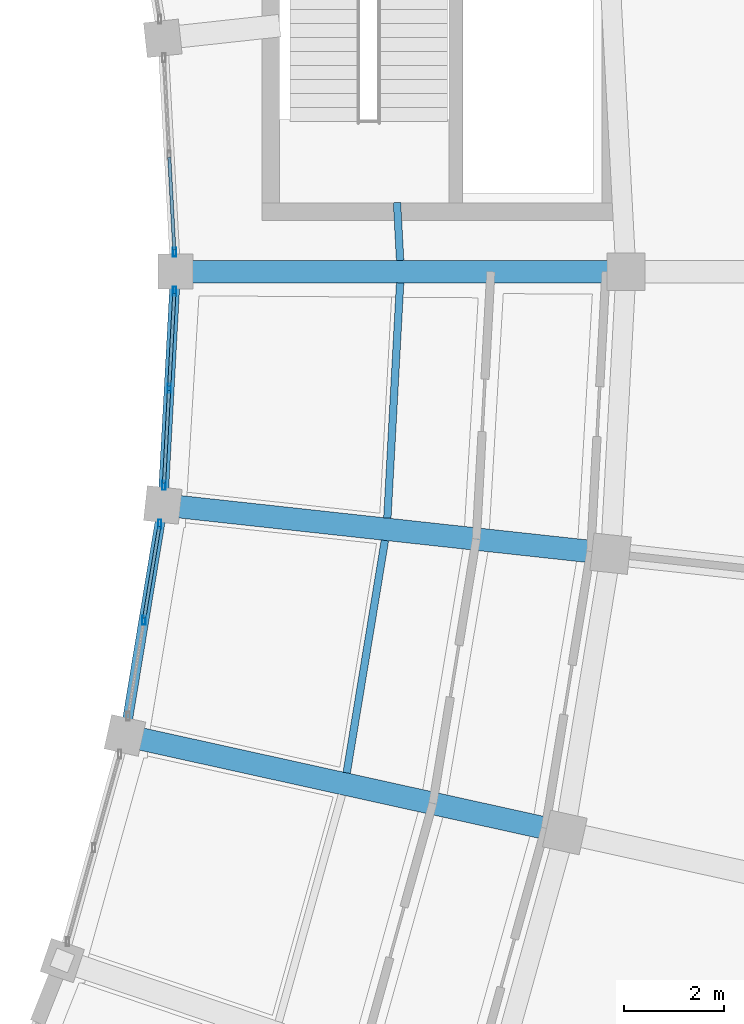
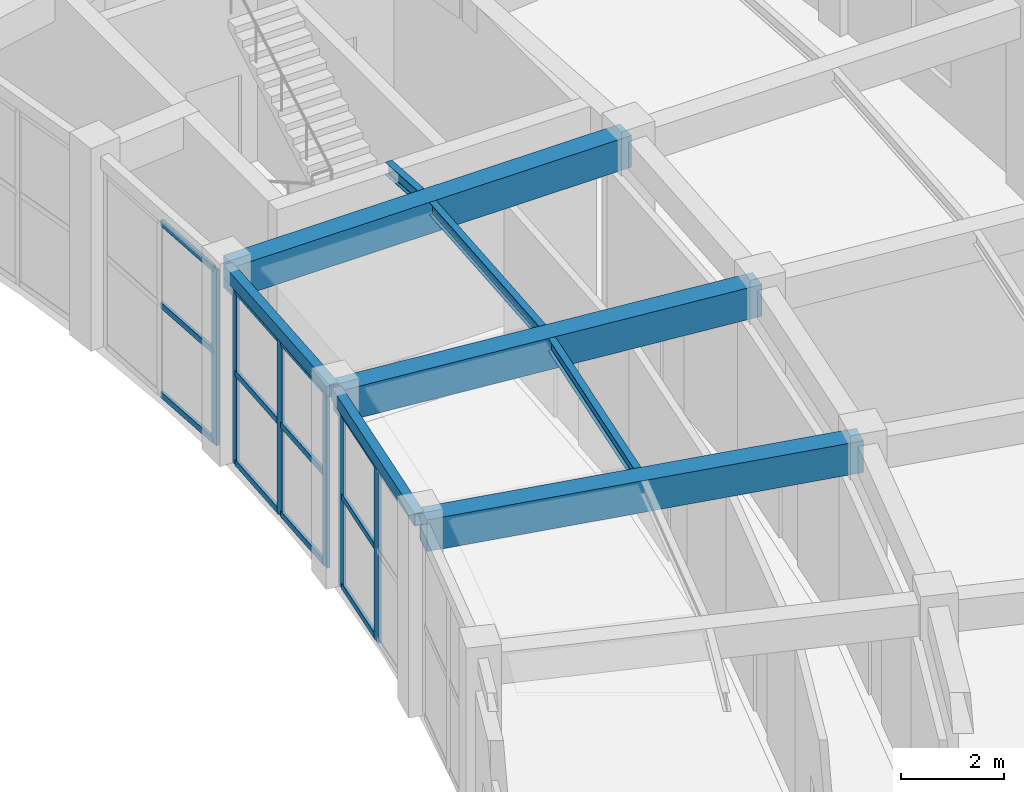
# One storey, part 67 of 108: 18 members, 8 beams, 3 elements without a shape of their own.
"""IFC4 building model written with IfcOpenShell, lengths in metres."""

from ifc_helpers import new_model, si_unit, direction, frame, origin, origin_2d, place, context, subcontext, project, spatial, rectangle, hollow_rectangle, i_section, extrude, material, material_profile, profile_set, type_object, element, aggregate, save


model = new_model("IFC4")

# Units and contexts
model_context = context("Model", 3, precision=1e-05, world=origin(), true_north=direction((0.0, 1.0)))
body_context = subcontext(model_context, "Body", "Model", "MODEL_VIEW")
ifc_project = project(units=[si_unit("LENGTHUNIT", "METRE"), si_unit("AREAUNIT", "SQUARE_METRE"), si_unit("VOLUMEUNIT", "CUBIC_METRE"), si_unit("PLANEANGLEUNIT", "RADIAN"), si_unit("MASSUNIT", "GRAM", prefix="KILO")], contexts=[model_context])

# Site, building, storey
site_placement = place(None, origin())
site = spatial("IfcSite", under=ifc_project, at=site_placement, CompositionType="ELEMENT")
building_placement = place(site_placement, origin())
building = spatial("IfcBuilding", under=site, at=building_placement, Name="Tarnveldt Headland Concert Hall", CompositionType="ELEMENT")
storey_placement = place(building_placement, origin())
storey = spatial("IfcBuildingStorey", under=building, at=storey_placement, Name="L00", CompositionType="ELEMENT", Elevation=0.0)

# Beams
ifc_material_1 = material(Name="Concrete C40/50", Category="concrete")
ifc_material_profile_1 = material_profile(ifc_material_1, rectangle(XDim=0.449951171875, YDim=0.75, at=origin_2d()), Name="RC 450x750", Category="concrete")
ifc_profile_set_1 = profile_set([ifc_material_profile_1], Name="Concrete C40/50")
beam_type_1 = type_object("IfcBeamType", Name="CB-450x750", PredefinedType="BEAM", material=ifc_profile_set_1)
beam_1_placement = place(storey_placement, frame((159.54833984375, 50.720947265625, 4.14501953125), z_axis=(0.976505569656, -0.215492163268, 0.0), x_axis=(0.215492163268, 0.976505569656, 0.0)))
element("IfcBeam", 1, at=beam_1_placement, inside=storey, type_object=beam_type_1, Name="Framing beam L00-473", PredefinedType="BEAM", context=body_context, shape_type="SweptSolid", body=[
    extrude(rectangle(XDim=0.449951171875, YDim=0.75, at=origin_2d()), origin(), (0.0, 0.0, 1.0), 8.880126953125),
])
for number, where, z_axis, x_axis, name in (
    (2, (160.306396484375, 55.3330078125, 4.14501953125), (0.994109611255, -0.108379337562, 0.0), (0.108379337562, 0.994109611255, 0.0), "Framing beam L00-480"),
    (3, (160.56005859375, 60.0, 4.14501953125), (1.0, 0.0, 0.0), (0.0, 1.0, 0.0), "Framing beam L00-487"),
):
    element("IfcBeam", number, at=place(storey_placement, frame(where, z_axis=z_axis, x_axis=x_axis)), inside=storey, type_object=beam_type_1, Name=name, PredefinedType="BEAM", context=body_context, shape_type="SweptSolid", body=[
        extrude(rectangle(XDim=0.449951171875, YDim=0.75, at=origin_2d()), origin(), (0.0, 0.0, 1.0), 8.8798828125),
    ])

# Curtain wall, members
ifc_material_2 = material(Name="Marine-anodised aluminium EN AW-6063-T6", Category="aluminium")
curtain_wall_type = type_object("IfcCurtainWallType", Name="CW-C1", PredefinedType="NOTDEFINED", material=ifc_material_2)
curtain_wall_1_placement = place(storey_placement, origin())
curtain_wall_1 = element("IfcCurtainWall", 4, at=curtain_wall_1_placement, inside=storey, type_object=curtain_wall_type, Name="Curtain wall CW-L00-100", PredefinedType="NOTDEFINED")
ifc_material_profile_2 = material_profile(ifc_material_2, hollow_rectangle(XDim=0.06494140625, YDim=0.179931640625, WallThickness=0.00390625, at=origin_2d()), Name="ALU MULLION 65x180x4", Category="aluminium")
ifc_profile_set_2 = profile_set([ifc_material_profile_2], Name="Marine-anodised aluminium EN AW-6063-T6")
member_type_1 = type_object("IfcMemberType", Name="ML-180", PredefinedType="MULLION", material=ifc_profile_set_2)
member_1_placement = place(storey_placement, frame((159.8681640625, 53.03662109375, 0.0), z_axis=(0.0, 0.0, 1.0), x_axis=(1.0, 0.0, 0.0)))
member_1 = element("IfcMember", 5, at=member_1_placement, type_object=member_type_1, Name="Mullion CW-L00-100-2", PredefinedType="MULLION", context=body_context, shape_type="SweptSolid", body=[
    extrude(hollow_rectangle(XDim=0.06494140625, YDim=0.179931640625, WallThickness=0.00390625, at=origin_2d()), origin(), (0.0, 0.0, 1.0), 4.159912109375),
])
member_2_placement = place(storey_placement, frame((160.183349609375, 54.95458984375, 0.0), z_axis=(0.0, 0.0, 1.0), x_axis=(1.0, 0.0, 0.0)))
member_2 = element("IfcMember", 6, at=member_2_placement, type_object=member_type_1, Name="Mullion CW-L00-100-3", PredefinedType="MULLION", context=body_context, shape_type="SweptSolid", body=[
    extrude(hollow_rectangle(XDim=0.06494140625, YDim=0.179931640625, WallThickness=0.00390625, at=origin_2d()), origin(), (0.0, 0.0, 1.0), 4.159912109375),
])

curtain_wall_2_placement = place(storey_placement, origin())
curtain_wall_2 = element("IfcCurtainWall", 7, at=curtain_wall_2_placement, inside=storey, type_object=curtain_wall_type, Name="Curtain wall CW-L00-101", PredefinedType="NOTDEFINED")
member_3_placement = place(storey_placement, frame((160.267822265625, 55.728759765625, 0.0), z_axis=(0.0, 0.0, 1.0), x_axis=(1.0, 0.0, 0.0)))
member_3 = element("IfcMember", 8, at=member_3_placement, type_object=member_type_1, Name="Mullion CW-L00-101-1", PredefinedType="MULLION", context=body_context, shape_type="SweptSolid", body=[
    extrude(hollow_rectangle(XDim=0.06494140625, YDim=0.179931640625, WallThickness=0.00390625, at=origin_2d()), origin(), (0.0, 0.0, 1.0), 4.159912109375),
])
member_4_placement = place(storey_placement, frame((160.373291015625, 57.669677734375, 0.0), z_axis=(0.0, 0.0, 1.0), x_axis=(1.0, 0.0, 0.0)))
member_4 = element("IfcMember", 9, at=member_4_placement, type_object=member_type_1, Name="Mullion CW-L00-101-2", PredefinedType="MULLION", context=body_context, shape_type="SweptSolid", body=[
    extrude(hollow_rectangle(XDim=0.06494140625, YDim=0.179931640625, WallThickness=0.00390625, at=origin_2d()), origin(), (0.0, 0.0, 1.0), 4.159912109375),
])
member_5_placement = place(storey_placement, frame((160.478759765625, 59.610595703125, 0.0), z_axis=(0.0, 0.0, 1.0), x_axis=(1.0, 0.0, 0.0)))
member_5 = element("IfcMember", 10, at=member_5_placement, type_object=member_type_1, Name="Mullion CW-L00-101-3", PredefinedType="MULLION", context=body_context, shape_type="SweptSolid", body=[
    extrude(hollow_rectangle(XDim=0.06494140625, YDim=0.179931640625, WallThickness=0.00390625, at=origin_2d()), origin(), (0.0, 0.0, 1.0), 4.159912109375),
])

# Curtain wall, member
curtain_wall_3_placement = place(storey_placement, origin())
curtain_wall_3 = element("IfcCurtainWall", 11, at=curtain_wall_3_placement, inside=storey, type_object=curtain_wall_type, Name="Curtain wall CW-L00-102", PredefinedType="NOTDEFINED")
member_6_placement = place(storey_placement, frame((160.478759765625, 60.389404296875, 0.0), z_axis=(0.0, 0.0, 1.0), x_axis=(1.0, 0.0, 0.0)))
member_6 = element("IfcMember", 12, at=member_6_placement, type_object=member_type_1, Name="Mullion CW-L00-102-1", PredefinedType="MULLION", context=body_context, shape_type="SweptSolid", body=[
    extrude(hollow_rectangle(XDim=0.06494140625, YDim=0.179931640625, WallThickness=0.00390625, at=origin_2d()), origin(), (0.0, 0.0, 1.0), 4.159912109375),
])

# Beams
ifc_material_3 = material(Name="Steel S355", Category="steel")
ifc_material_profile_3 = material_profile(ifc_material_3, i_section(OverallWidth=0.14990234375, OverallDepth=0.300048828125, WebThickness=0.007080078125, FlangeThickness=0.0107421875, FilletRadius=0.014892578125, at=origin_2d()), Name="IPE300", Category="steel")
ifc_profile_set_3 = profile_set([ifc_material_profile_3], Name="Steel S355")
beam_type_2 = type_object("IfcBeamType", Name="SB-IPE300", PredefinedType="JOIST", material=ifc_profile_set_3)
for number, where, z_axis, x_axis, name in (
    (13, (163.92041015625, 49.986083984375, 4.3701171875), (0.162177536694, 0.986761595621, 0.0), (-0.986761595621, 0.162177536694, 0.0), "Framing beam L00-478"),
    (14, (164.732421875, 55.076416015625, 4.3701171875), (0.054266053499, 0.998526512136, 0.0), (-0.998526512136, 0.054266053499, 0.0), "Framing beam L00-485"),
):
    element("IfcBeam", number, at=place(storey_placement, frame(where, z_axis=z_axis, x_axis=x_axis)), inside=storey, type_object=beam_type_2, Name=name, PredefinedType="JOIST", context=body_context, shape_type="SweptSolid", body=[
        extrude(i_section(OverallWidth=0.14990234375, OverallDepth=0.300048828125, WebThickness=0.007080078125, FlangeThickness=0.0107421875, FilletRadius=0.014892578125, at=origin_2d()), origin(), (0.0, 0.0, 1.0), 4.705810546875),
    ])
beam_2_placement = place(storey_placement, frame((164.98779296875, 60.224609375, 4.3701171875), z_axis=(-0.054231149822, 0.998528408404, 0.0), x_axis=(-0.998528408404, -0.054231149822, 0.0)))
element("IfcBeam", 15, at=beam_2_placement, inside=storey, type_object=beam_type_2, Name="Framing beam L00-492", PredefinedType="JOIST", context=body_context, shape_type="SweptSolid", body=[
    extrude(i_section(OverallWidth=0.14990234375, OverallDepth=0.300048828125, WebThickness=0.007080078125, FlangeThickness=0.0107421875, FilletRadius=0.014892578125, at=origin_2d()), origin(), (0.0, 0.0, 1.0), 1.156982421875),
])
ifc_material_profile_4 = material_profile(ifc_material_3, hollow_rectangle(XDim=0.199951171875, YDim=0.300048828125, WallThickness=0.012451171875, at=origin_2d()), Name="RHS 300x200x12.5", Category="steel")
ifc_profile_set_4 = profile_set([ifc_material_profile_4], Name="Steel S355")
beam_type_3 = type_object("IfcBeamType", Name="SB-RHS300", PredefinedType="SPANDREL", material=ifc_profile_set_4)
beam_3_placement = place(storey_placement, frame((159.49951171875, 50.79296875, 4.3701171875), z_axis=(0.162187266023, 0.986759996524, 0.0), x_axis=(-0.986759996524, 0.162187266023, 0.0)))
element("IfcBeam", 16, at=beam_3_placement, inside=storey, type_object=beam_type_3, Name="Framing beam L00-475", PredefinedType="SPANDREL", context=body_context, shape_type="SweptSolid", body=[
    extrude(hollow_rectangle(XDim=0.199951171875, YDim=0.300048828125, WallThickness=0.012451171875, at=origin_2d()), origin(), (0.0, 0.0, 1.0), 4.547607421875),
])
beam_4_placement = place(storey_placement, frame((160.25, 55.3994140625, 4.3701171875), z_axis=(0.05422410232, 0.998528791136, 0.0), x_axis=(-0.998528791136, 0.05422410232, 0.0)))
element("IfcBeam", 17, at=beam_4_placement, inside=storey, type_object=beam_type_3, Name="Framing beam L00-482", PredefinedType="SPANDREL", context=body_context, shape_type="SweptSolid", body=[
    extrude(hollow_rectangle(XDim=0.199951171875, YDim=0.300048828125, WallThickness=0.012451171875, at=origin_2d()), origin(), (0.0, 0.0, 1.0), 4.54736328125),
])

# Member
ifc_material_profile_5 = material_profile(ifc_material_2, hollow_rectangle(XDim=0.06494140625, YDim=0.139892578125, WallThickness=0.00390625, at=origin_2d()), Name="ALU TRANSOM 65x140x4", Category="aluminium")
ifc_profile_set_5 = profile_set([ifc_material_profile_5], Name="Marine-anodised aluminium EN AW-6063-T6")
member_type_2 = type_object("IfcMemberType", Name="TR-140", PredefinedType="MEMBER", material=ifc_profile_set_5)
member_7_placement = place(storey_placement, frame((159.87548828125, 53.08056640625, 0.050048828125), z_axis=(0.162178507112, 0.986761436129, 0.0), x_axis=(-0.986761436129, 0.162178507112, 0.0)))
member_7 = element("IfcMember", 18, at=member_7_placement, type_object=member_type_2, Name="Transom CW-L00-100-2-1", PredefinedType="MEMBER", context=body_context, shape_type="SweptSolid", body=[
    extrude(hollow_rectangle(XDim=0.06494140625, YDim=0.139892578125, WallThickness=0.00390625, at=origin_2d()), origin(), (0.0, 0.0, 1.0), 1.854736328125),
])

member_8_placement = place(storey_placement, frame((159.87548828125, 53.08056640625, 2.1630859375), z_axis=(0.162178507112, 0.986761436129, 0.0), x_axis=(-0.986761436129, 0.162178507112, 0.0)))
member_8 = element("IfcMember", 19, at=member_8_placement, type_object=member_type_2, Name="Transom CW-L00-100-2-2", PredefinedType="MEMBER", context=body_context, shape_type="SweptSolid", body=[
    extrude(hollow_rectangle(XDim=0.06494140625, YDim=0.139892578125, WallThickness=0.00390625, at=origin_2d()), origin(), (0.0, 0.0, 1.0), 1.854736328125),
])

member_9_placement = place(storey_placement, frame((159.87548828125, 53.08056640625, 4.110107421875), z_axis=(0.162178507112, 0.986761436129, 0.0), x_axis=(-0.986761436129, 0.162178507112, 0.0)))
member_9 = element("IfcMember", 20, at=member_9_placement, type_object=member_type_2, Name="Transom CW-L00-100-2-3", PredefinedType="MEMBER", context=body_context, shape_type="SweptSolid", body=[
    extrude(hollow_rectangle(XDim=0.06494140625, YDim=0.139892578125, WallThickness=0.00390625, at=origin_2d()), origin(), (0.0, 0.0, 1.0), 1.854736328125),
])

aggregate(curtain_wall_1, [member_1, member_2, member_7, member_8, member_9])

member_10_placement = place(storey_placement, frame((160.270263671875, 55.773193359375, 0.050048828125), z_axis=(0.054230650598, 0.998528435517, 0.0), x_axis=(-0.998528435517, 0.054230650598, 0.0)))
member_10 = element("IfcMember", 21, at=member_10_placement, type_object=member_type_2, Name="Transom CW-L00-101-1-1", PredefinedType="MEMBER", context=body_context, shape_type="SweptSolid", body=[
    extrude(hollow_rectangle(XDim=0.06494140625, YDim=0.139892578125, WallThickness=0.00390625, at=origin_2d()), origin(), (0.0, 0.0, 1.0), 1.854736328125),
])

member_11_placement = place(storey_placement, frame((160.270263671875, 55.773193359375, 2.1630859375), z_axis=(0.054230650598, 0.998528435517, 0.0), x_axis=(-0.998528435517, 0.054230650598, 0.0)))
member_11 = element("IfcMember", 22, at=member_11_placement, type_object=member_type_2, Name="Transom CW-L00-101-1-2", PredefinedType="MEMBER", context=body_context, shape_type="SweptSolid", body=[
    extrude(hollow_rectangle(XDim=0.06494140625, YDim=0.139892578125, WallThickness=0.00390625, at=origin_2d()), origin(), (0.0, 0.0, 1.0), 1.854736328125),
])

member_12_placement = place(storey_placement, frame((160.270263671875, 55.773193359375, 4.110107421875), z_axis=(0.054230650598, 0.998528435517, 0.0), x_axis=(-0.998528435517, 0.054230650598, 0.0)))
member_12 = element("IfcMember", 23, at=member_12_placement, type_object=member_type_2, Name="Transom CW-L00-101-1-3", PredefinedType="MEMBER", context=body_context, shape_type="SweptSolid", body=[
    extrude(hollow_rectangle(XDim=0.06494140625, YDim=0.139892578125, WallThickness=0.00390625, at=origin_2d()), origin(), (0.0, 0.0, 1.0), 1.854736328125),
])

member_13_placement = place(storey_placement, frame((160.375732421875, 57.714111328125, 0.050048828125), z_axis=(0.054230650598, 0.998528435517, 0.0), x_axis=(-0.998528435517, 0.054230650598, 0.0)))
member_13 = element("IfcMember", 24, at=member_13_placement, type_object=member_type_2, Name="Transom CW-L00-101-2-1", PredefinedType="MEMBER", context=body_context, shape_type="SweptSolid", body=[
    extrude(hollow_rectangle(XDim=0.06494140625, YDim=0.139892578125, WallThickness=0.00390625, at=origin_2d()), origin(), (0.0, 0.0, 1.0), 1.854736328125),
])

member_14_placement = place(storey_placement, frame((160.375732421875, 57.714111328125, 2.1630859375), z_axis=(0.054230650598, 0.998528435517, 0.0), x_axis=(-0.998528435517, 0.054230650598, 0.0)))
member_14 = element("IfcMember", 25, at=member_14_placement, type_object=member_type_2, Name="Transom CW-L00-101-2-2", PredefinedType="MEMBER", context=body_context, shape_type="SweptSolid", body=[
    extrude(hollow_rectangle(XDim=0.06494140625, YDim=0.139892578125, WallThickness=0.00390625, at=origin_2d()), origin(), (0.0, 0.0, 1.0), 1.854736328125),
])

member_15_placement = place(storey_placement, frame((160.375732421875, 57.714111328125, 4.110107421875), z_axis=(0.054230650598, 0.998528435517, 0.0), x_axis=(-0.998528435517, 0.054230650598, 0.0)))
member_15 = element("IfcMember", 26, at=member_15_placement, type_object=member_type_2, Name="Transom CW-L00-101-2-3", PredefinedType="MEMBER", context=body_context, shape_type="SweptSolid", body=[
    extrude(hollow_rectangle(XDim=0.06494140625, YDim=0.139892578125, WallThickness=0.00390625, at=origin_2d()), origin(), (0.0, 0.0, 1.0), 1.854736328125),
])

aggregate(curtain_wall_2, [member_3, member_4, member_5, member_10, member_11, member_12, member_13, member_14, member_15])

member_16_placement = place(storey_placement, frame((160.476318359375, 60.433837890625, 0.050048828125), z_axis=(-0.054230650598, 0.998528435517, 0.0), x_axis=(-0.998528435517, -0.054230650598, 0.0)))
member_16 = element("IfcMember", 27, at=member_16_placement, type_object=member_type_2, Name="Transom CW-L00-102-1-1", PredefinedType="MEMBER", context=body_context, shape_type="SweptSolid", body=[
    extrude(hollow_rectangle(XDim=0.06494140625, YDim=0.139892578125, WallThickness=0.00390625, at=origin_2d()), origin(), (0.0, 0.0, 1.0), 1.854736328125),
])

member_17_placement = place(storey_placement, frame((160.476318359375, 60.433837890625, 2.1630859375), z_axis=(-0.054230650598, 0.998528435517, 0.0), x_axis=(-0.998528435517, -0.054230650598, 0.0)))
member_17 = element("IfcMember", 28, at=member_17_placement, type_object=member_type_2, Name="Transom CW-L00-102-1-2", PredefinedType="MEMBER", context=body_context, shape_type="SweptSolid", body=[
    extrude(hollow_rectangle(XDim=0.06494140625, YDim=0.139892578125, WallThickness=0.00390625, at=origin_2d()), origin(), (0.0, 0.0, 1.0), 1.854736328125),
])

member_18_placement = place(storey_placement, frame((160.476318359375, 60.433837890625, 4.110107421875), z_axis=(-0.054230650598, 0.998528435517, 0.0), x_axis=(-0.998528435517, -0.054230650598, 0.0)))
member_18 = element("IfcMember", 29, at=member_18_placement, type_object=member_type_2, Name="Transom CW-L00-102-1-3", PredefinedType="MEMBER", context=body_context, shape_type="SweptSolid", body=[
    extrude(hollow_rectangle(XDim=0.06494140625, YDim=0.139892578125, WallThickness=0.00390625, at=origin_2d()), origin(), (0.0, 0.0, 1.0), 1.854736328125),
])

aggregate(curtain_wall_3, [member_6, member_16, member_17, member_18])

save(model, "model.ifc")
